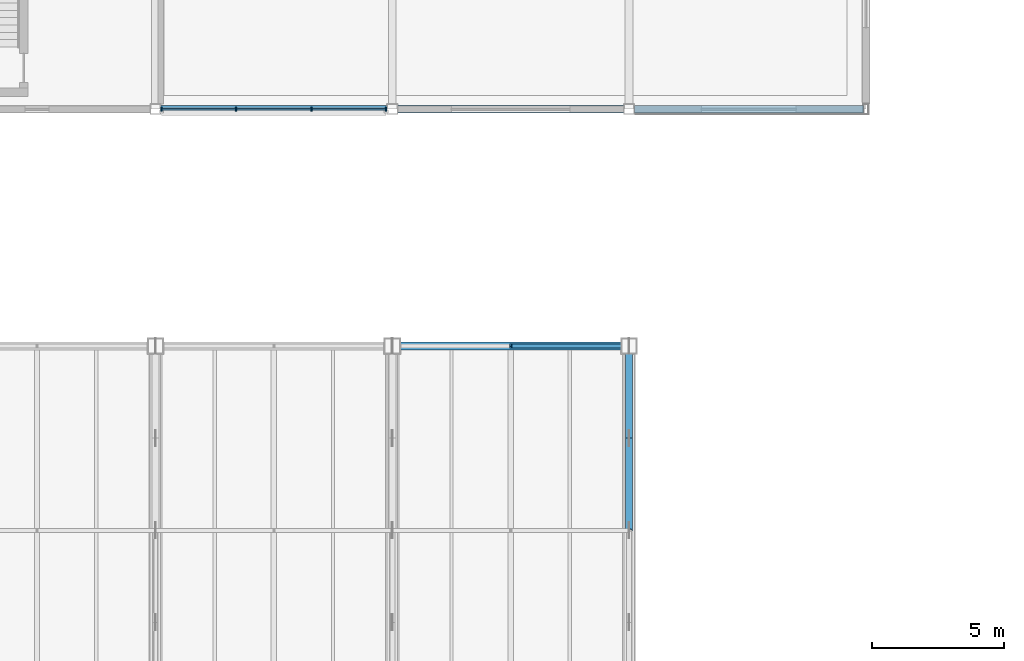
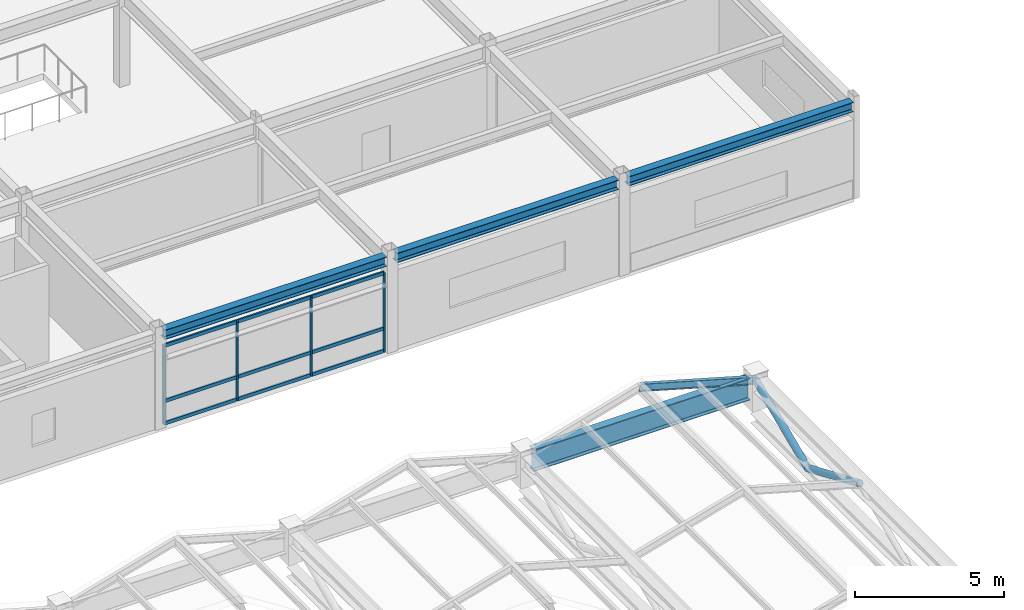
# One storey, part 47 of 108: 16 members, 4 beams, 1 element without a shape of its own.
"""IFC4 building model written with IfcOpenShell, lengths in metres."""

from ifc_helpers import new_model, si_unit, direction, frame, origin, origin_2d, place, context, subcontext, project, spatial, rectangle, hollow_circle, i_section, extrude, material, material_profile, profile_set, type_object, element, aggregate, save


model = new_model("IFC4")

# Units and contexts
model_context = context("Model", 3, precision=1e-05, world=origin(), true_north=direction((0.0, 1.0)))
body_context = subcontext(model_context, "Body", "Model", "MODEL_VIEW")
ifc_project = project(units=[si_unit("LENGTHUNIT", "METRE"), si_unit("AREAUNIT", "SQUARE_METRE"), si_unit("VOLUMEUNIT", "CUBIC_METRE"), si_unit("PLANEANGLEUNIT", "RADIAN"), si_unit("MASSUNIT", "GRAM", prefix="KILO")], contexts=[model_context])

# Site, building, storey
site_placement = place(None, origin())
site = spatial("IfcSite", under=ifc_project, at=site_placement, CompositionType="ELEMENT")
building_placement = place(site_placement, origin())
building = spatial("IfcBuilding", under=site, at=building_placement, Name="Suzunagisa Mobility Hub", CompositionType="ELEMENT")
storey_placement = place(building_placement, frame((0.0, 0.0, 9.300048828125)))
storey = spatial("IfcBuildingStorey", under=building, at=storey_placement, Name="L02", CompositionType="ELEMENT", Elevation=9.300048828125)

# Curtain wall, members
ifc_material_1 = material(Name="Thermally Broken Anodized Aluminum and Low-E Glazing", Category="aluminium")
curtain_wall_type = type_object("IfcCurtainWallType", Name="Unitised Curtain Wall CW-18 8500x3200", PredefinedType="USERDEFINED", material=ifc_material_1)
curtain_wall_placement = place(storey_placement, origin())
curtain_wall = element("IfcCurtainWall", 1, at=curtain_wall_placement, inside=storey, type_object=curtain_wall_type, Name="L02 Unitised Curtain Wall CW-111", ObjectType="UNITISED CURTAIN WALL", PredefinedType="USERDEFINED")
ifc_material_2 = material(Name="Anodized Aluminum 6063-T6", Category="aluminium")
ifc_material_profile_1 = material_profile(ifc_material_2, rectangle(XDim=0.06494140625, YDim=0.139892578125, at=origin_2d()), Name="TRAN-65x140")
ifc_profile_set_1 = profile_set([ifc_material_profile_1], Name="Anodized Aluminum 6063-T6")
member_type_1 = type_object("IfcMemberType", Name="Curtain Wall Framing CM-01 TRAN-65x140", PredefinedType="USERDEFINED", material=ifc_profile_set_1)
member_1_placement = place(storey_placement, frame((99.258056640625, 80.0, 0.032470703125), z_axis=(1.0, 0.0, 0.0), x_axis=(0.0, 1.0, 0.0)))
member_1 = element("IfcMember", 2, at=member_1_placement, type_object=member_type_1, Name="Curtain Wall Transom 111-T1.1", ObjectType="TRANSOM", PredefinedType="USERDEFINED", context=body_context, shape_type="SweptSolid", body=[
    extrude(rectangle(XDim=0.06494140625, YDim=0.139892578125, at=origin_2d()), origin(), (0.0, 0.0, 1.0), 2.78076171875),
])
member_2_placement = place(storey_placement, frame((99.258056640625, 80.0, 0.949951171875), z_axis=(1.0, 0.0, 0.0), x_axis=(0.0, 1.0, 0.0)))
member_2 = element("IfcMember", 3, at=member_2_placement, type_object=member_type_1, Name="Curtain Wall Transom 111-T1.2", ObjectType="TRANSOM", PredefinedType="USERDEFINED", context=body_context, shape_type="SweptSolid", body=[
    extrude(rectangle(XDim=0.06494140625, YDim=0.139892578125, at=origin_2d()), origin(), (0.0, 0.0, 1.0), 2.78076171875),
])
member_3_placement = place(storey_placement, frame((99.258056640625, 80.0, 3.217529296875), z_axis=(1.0, 0.0, 0.0), x_axis=(0.0, 1.0, 0.0)))
member_3 = element("IfcMember", 4, at=member_3_placement, type_object=member_type_1, Name="Curtain Wall Transom 111-T1.3", ObjectType="TRANSOM", PredefinedType="USERDEFINED", context=body_context, shape_type="SweptSolid", body=[
    extrude(rectangle(XDim=0.06494140625, YDim=0.139892578125, at=origin_2d()), origin(), (0.0, 0.0, 1.0), 2.78076171875),
])
member_4_placement = place(storey_placement, frame((102.0947265625, 80.0, 0.032470703125), z_axis=(1.0, 0.0, 0.0), x_axis=(0.0, 1.0, 0.0)))
member_4 = element("IfcMember", 5, at=member_4_placement, type_object=member_type_1, Name="Curtain Wall Transom 111-T2.1", ObjectType="TRANSOM", PredefinedType="USERDEFINED", context=body_context, shape_type="SweptSolid", body=[
    extrude(rectangle(XDim=0.06494140625, YDim=0.139892578125, at=origin_2d()), origin(), (0.0, 0.0, 1.0), 2.810546875),
])
member_5_placement = place(storey_placement, frame((102.0947265625, 80.0, 0.949951171875), z_axis=(1.0, 0.0, 0.0), x_axis=(0.0, 1.0, 0.0)))
member_5 = element("IfcMember", 6, at=member_5_placement, type_object=member_type_1, Name="Curtain Wall Transom 111-T2.2", ObjectType="TRANSOM", PredefinedType="USERDEFINED", context=body_context, shape_type="SweptSolid", body=[
    extrude(rectangle(XDim=0.06494140625, YDim=0.139892578125, at=origin_2d()), origin(), (0.0, 0.0, 1.0), 2.810546875),
])
member_6_placement = place(storey_placement, frame((102.0947265625, 80.0, 3.217529296875), z_axis=(1.0, 0.0, 0.0), x_axis=(0.0, 1.0, 0.0)))
member_6 = element("IfcMember", 7, at=member_6_placement, type_object=member_type_1, Name="Curtain Wall Transom 111-T2.3", ObjectType="TRANSOM", PredefinedType="USERDEFINED", context=body_context, shape_type="SweptSolid", body=[
    extrude(rectangle(XDim=0.06494140625, YDim=0.139892578125, at=origin_2d()), origin(), (0.0, 0.0, 1.0), 2.810546875),
])
member_7_placement = place(storey_placement, frame((104.961181640625, 80.0, 0.032470703125), z_axis=(1.0, 0.0, 0.0), x_axis=(0.0, 1.0, 0.0)))
member_7 = element("IfcMember", 8, at=member_7_placement, type_object=member_type_1, Name="Curtain Wall Transom 111-T3.1", ObjectType="TRANSOM", PredefinedType="USERDEFINED", context=body_context, shape_type="SweptSolid", body=[
    extrude(rectangle(XDim=0.06494140625, YDim=0.139892578125, at=origin_2d()), origin(), (0.0, 0.0, 1.0), 2.78076171875),
])
member_8_placement = place(storey_placement, frame((104.961181640625, 80.0, 0.949951171875), z_axis=(1.0, 0.0, 0.0), x_axis=(0.0, 1.0, 0.0)))
member_8 = element("IfcMember", 9, at=member_8_placement, type_object=member_type_1, Name="Curtain Wall Transom 111-T3.2", ObjectType="TRANSOM", PredefinedType="USERDEFINED", context=body_context, shape_type="SweptSolid", body=[
    extrude(rectangle(XDim=0.06494140625, YDim=0.139892578125, at=origin_2d()), origin(), (0.0, 0.0, 1.0), 2.78076171875),
])
member_9_placement = place(storey_placement, frame((104.961181640625, 80.0, 3.217529296875), z_axis=(1.0, 0.0, 0.0), x_axis=(0.0, 1.0, 0.0)))
member_9 = element("IfcMember", 10, at=member_9_placement, type_object=member_type_1, Name="Curtain Wall Transom 111-T3.3", ObjectType="TRANSOM", PredefinedType="USERDEFINED", context=body_context, shape_type="SweptSolid", body=[
    extrude(rectangle(XDim=0.06494140625, YDim=0.139892578125, at=origin_2d()), origin(), (0.0, 0.0, 1.0), 2.78076171875),
])
ifc_material_profile_2 = material_profile(ifc_material_2, rectangle(XDim=0.06005859375, YDim=0.14990234375, at=origin_2d()), Name="MULL-60x150")
ifc_profile_set_2 = profile_set([ifc_material_profile_2], Name="Anodized Aluminum 6063-T6")
member_type_2 = type_object("IfcMemberType", Name="Curtain Wall Framing CM-03 MULL-60x150", PredefinedType="MULLION", material=ifc_profile_set_2)
member_10_placement = place(storey_placement, frame((99.22998046875, 80.0, 0.0), z_axis=(0.0, 0.0, 1.0), x_axis=(1.0, 0.0, 0.0)))
member_10 = element("IfcMember", 11, at=member_10_placement, type_object=member_type_2, Name="Curtain Wall Mullion 111-M1", PredefinedType="MULLION", context=body_context, shape_type="SweptSolid", body=[
    extrude(rectangle(XDim=0.06005859375, YDim=0.14990234375, at=origin_2d()), origin(), (0.0, 0.0, 1.0), 3.25),
])
member_11_placement = place(storey_placement, frame((102.066650390625, 80.0, 0.0), z_axis=(0.0, 0.0, 1.0), x_axis=(1.0, 0.0, 0.0)))
member_11 = element("IfcMember", 12, at=member_11_placement, type_object=member_type_2, Name="Curtain Wall Mullion 111-M2", PredefinedType="MULLION", context=body_context, shape_type="SweptSolid", body=[
    extrude(rectangle(XDim=0.06005859375, YDim=0.14990234375, at=origin_2d()), origin(), (0.0, 0.0, 1.0), 3.25),
])
member_12_placement = place(storey_placement, frame((104.933349609375, 80.0, 0.0), z_axis=(0.0, 0.0, 1.0), x_axis=(1.0, 0.0, 0.0)))
member_12 = element("IfcMember", 13, at=member_12_placement, type_object=member_type_2, Name="Curtain Wall Mullion 111-M3", PredefinedType="MULLION", context=body_context, shape_type="SweptSolid", body=[
    extrude(rectangle(XDim=0.06005859375, YDim=0.14990234375, at=origin_2d()), origin(), (0.0, 0.0, 1.0), 3.25),
])
member_13_placement = place(storey_placement, frame((107.77001953125, 80.0, 0.0), z_axis=(0.0, 0.0, 1.0), x_axis=(1.0, 0.0, 0.0)))
member_13 = element("IfcMember", 14, at=member_13_placement, type_object=member_type_2, Name="Curtain Wall Mullion 111-M4", PredefinedType="MULLION", context=body_context, shape_type="SweptSolid", body=[
    extrude(rectangle(XDim=0.06005859375, YDim=0.14990234375, at=origin_2d()), origin(), (0.0, 0.0, 1.0), 3.25),
])
aggregate(curtain_wall, [member_10, member_11, member_12, member_13, member_1, member_2, member_3, member_4, member_5, member_6, member_7, member_8, member_9])

# Members
ifc_material_3 = material(Name="Steel SN490B", Category="steel")
ifc_material_profile_3 = material_profile(ifc_material_3, hollow_circle(Radius=0.1337890625, WallThickness=0.00927734375, at=origin_2d()), Name="CHS-267.4x9.3")
ifc_profile_set_3 = profile_set([ifc_material_profile_3], Name="Steel SN490B")
member_type_3 = type_object("IfcMemberType", Name="Roof Truss and Brace Member MB-02 CHS-267.4x9.3", PredefinedType="STRUT", material=ifc_profile_set_3)
for number, where, z_axis, x_axis, name in (
    (15, (117.0, 64.0, 1.0537109375), (0.0, 0.919145030018, -0.393919298579), (-1.0, 0.0, 0.0), "Secondary Sub-Truss Web 89"),
    (16, (117.0, 67.5, -0.4462890625), (0.0, 0.919145030018, 0.393919298579), (-1.0, 0.0, 0.0), "Secondary Sub-Truss Web 90"),
):
    element("IfcMember", number, at=place(storey_placement, frame(where, z_axis=z_axis, x_axis=x_axis)), inside=storey, type_object=member_type_3, Name=name, PredefinedType="STRUT", context=body_context, shape_type="SweptSolid", body=[
        extrude(hollow_circle(Radius=0.1337890625, WallThickness=0.00927734375, at=origin_2d()), origin(), (0.0, 0.0, 1.0), 3.807861328125),
    ])
ifc_material_4 = material(Name="Steel SN400B", Category="steel")
ifc_material_profile_4 = material_profile(ifc_material_4, i_section(OverallWidth=0.14990234375, OverallDepth=0.300048828125, WebThickness=0.006591796875, FlangeThickness=0.009033203125, FilletRadius=0.008056640625, at=origin_2d()), Name="H-300x150x6.5x9")
ifc_profile_set_4 = profile_set([ifc_material_profile_4], Name="Steel SN400B")
member_type_4 = type_object("IfcMemberType", Name="Roof Truss and Brace Member MB-08 H-300x150x6.5x9", PredefinedType="RAFTER", material=ifc_profile_set_4)
member_14_placement = place(storey_placement, frame((117.0, 71.0, 1.0537109375), z_axis=(-0.961899182139, 0.0, 0.273404395357), x_axis=(0.0, -1.0, 0.0)))
element("IfcMember", 17, at=member_14_placement, inside=storey, type_object=member_type_4, Name="Secondary Roof Sub-Rafter 208", PredefinedType="RAFTER", context=body_context, shape_type="SweptSolid", body=[
    extrude(i_section(OverallWidth=0.14990234375, OverallDepth=0.300048828125, WebThickness=0.006591796875, FlangeThickness=0.009033203125, FilletRadius=0.008056640625, at=origin_2d()), origin(), (0.0, 0.0, 1.0), 4.67822265625),
])

# Beams
ifc_material_profile_5 = material_profile(ifc_material_3, i_section(OverallWidth=0.300048828125, OverallDepth=0.89990234375, WebThickness=0.01611328125, FlangeThickness=0.028076171875, FilletRadius=0.01806640625, at=origin_2d()), Name="H-900x300x16x28")
ifc_profile_set_5 = profile_set([ifc_material_profile_5], Name="Steel SN490B")
beam_type_1 = type_object("IfcBeamType", Name="Steel Beam BM-01 H-900x300x16x28", PredefinedType="BEAM", material=ifc_profile_set_5)
beam_1_placement = place(storey_placement, frame((108.300048828125, 71.0, 0.863037109375), z_axis=(1.0, 0.0, 0.0), x_axis=(0.0, 1.0, 0.0)))
element("IfcBeam", 18, at=beam_1_placement, inside=storey, type_object=beam_type_1, Name="L02 Concourse Eave Girder EG-2227", PredefinedType="BEAM", context=body_context, shape_type="SweptSolid", body=[
    extrude(i_section(OverallWidth=0.300048828125, OverallDepth=0.89990234375, WebThickness=0.01611328125, FlangeThickness=0.028076171875, FilletRadius=0.01806640625, at=origin_2d()), origin(), (0.0, 0.0, 1.0), 8.39990234375),
])
ifc_material_profile_6 = material_profile(ifc_material_3, i_section(OverallWidth=0.300048828125, OverallDepth=0.389892578125, WebThickness=0.010009765625, FlangeThickness=0.01611328125, FilletRadius=0.012939453125, at=origin_2d()), Name="H-390x300x10x16")
ifc_profile_set_6 = profile_set([ifc_material_profile_6], Name="Steel SN490B")
beam_type_2 = type_object("IfcBeamType", Name="Steel Beam BM-13 H-390x300x10x16", PredefinedType="SPANDREL", material=ifc_profile_set_6)
for number, where, z_axis, x_axis, name in (
    (19, (99.196044921875, 80.0, 3.7548828125), (1.0, 0.0, 0.0), (0.0, 1.0, 0.0), "L02 Primary Girder GX-921"),
    (20, (108.196044921875, 80.0, 3.7548828125), (1.0, 0.0, 0.0), (0.0, 1.0, 0.0), "L02 Primary Girder GX-922"),
):
    element("IfcBeam", number, at=place(storey_placement, frame(where, z_axis=z_axis, x_axis=x_axis)), inside=storey, type_object=beam_type_2, Name=name, PredefinedType="SPANDREL", context=body_context, shape_type="SweptSolid", body=[
        extrude(i_section(OverallWidth=0.300048828125, OverallDepth=0.389892578125, WebThickness=0.010009765625, FlangeThickness=0.01611328125, FilletRadius=0.012939453125, at=origin_2d()), origin(), (0.0, 0.0, 1.0), 8.60791015625),
    ])
beam_2_placement = place(storey_placement, frame((117.196044921875, 80.0, 3.7548828125), z_axis=(1.0, 0.0, 0.0), x_axis=(0.0, 1.0, 0.0)))
element("IfcBeam", 21, at=beam_2_placement, inside=storey, type_object=beam_type_2, Name="L02 Primary Girder GX-923", PredefinedType="SPANDREL", context=body_context, shape_type="SweptSolid", body=[
    extrude(i_section(OverallWidth=0.300048828125, OverallDepth=0.389892578125, WebThickness=0.010009765625, FlangeThickness=0.01611328125, FilletRadius=0.012939453125, at=origin_2d()), origin(), (0.0, 0.0, 1.0), 8.7080078125),
])

save(model, "model.ifc")
